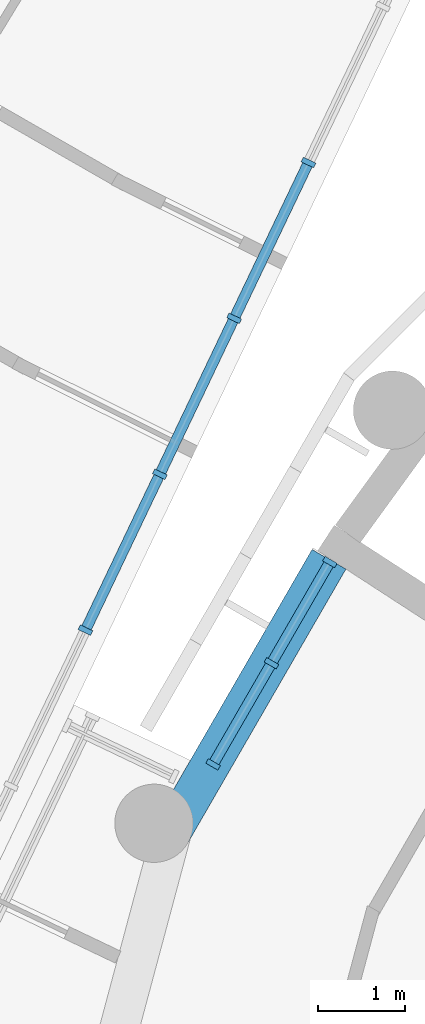
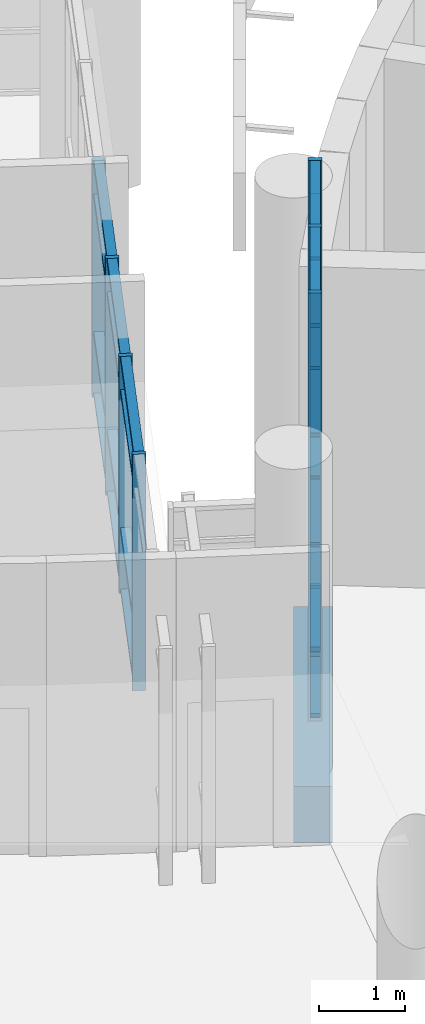
# One storey, part 13 of 136: 31 members, 1 beam, 2 elements without a shape of their own.
"""IFC4 building model written with IfcOpenShell, lengths in metres."""

from ifc_helpers import new_model, si_unit, direction, frame, origin, origin_2d, place, context, subcontext, project, spatial, rectangle, extrude, material, material_profile, profile_set, type_object, element, aggregate, save


model = new_model("IFC4")

# Units and contexts
model_context = context("Model", 3, precision=1e-05, world=origin(), true_north=direction((0.0, 1.0)))
body_context = subcontext(model_context, "Body", "Model", "MODEL_VIEW")
ifc_project = project(units=[si_unit("LENGTHUNIT", "METRE"), si_unit("AREAUNIT", "SQUARE_METRE"), si_unit("VOLUMEUNIT", "CUBIC_METRE"), si_unit("PLANEANGLEUNIT", "RADIAN"), si_unit("MASSUNIT", "GRAM", prefix="KILO")], contexts=[model_context])

# Site, building, storey
site_placement = place(None, origin())
site = spatial("IfcSite", under=ifc_project, at=site_placement, CompositionType="ELEMENT")
building_placement = place(site_placement, origin())
building = spatial("IfcBuilding", under=site, at=building_placement, Name="Bougainvillea Quay General Hospital", CompositionType="ELEMENT")
storey_placement = place(building_placement, frame((0.0, 0.0, 5.39990234375)))
storey = spatial("IfcBuildingStorey", under=building, at=storey_placement, Name="L01", CompositionType="ELEMENT", Elevation=5.39990234375)

# Curtain wall, members
ifc_material_1 = material(Name="Aluminium curtain wall system, powder-coated glazed", Category="aluminium")
curtain_wall_type_1 = type_object("IfcCurtainWallType", Name="Unitised curtain wall CW-1985", PredefinedType="NOTDEFINED", material=ifc_material_1)
curtain_wall_1_placement = place(storey_placement, origin())
curtain_wall_1 = element("IfcCurtainWall", 1, at=curtain_wall_1_placement, inside=storey, type_object=curtain_wall_type_1, Name="CW-AE 00", PredefinedType="NOTDEFINED")
ifc_material_2 = material(Name="Aluminium mullion, powder-coated charcoal", Category="aluminium")
ifc_material_profile_1 = material_profile(ifc_material_2, rectangle(XDim=0.159912109375, YDim=0.06005859375, at=origin_2d()))
ifc_profile_set_1 = profile_set([ifc_material_profile_1], Name="Aluminium mullion, powder-coated charcoal")
member_type_1 = type_object("IfcMemberType", Name="Curtain wall mullion 160x60", PredefinedType="MULLION", material=ifc_profile_set_1)
member_1_placement = place(storey_placement, frame((89.01171875, 84.255615234375, 0.0), z_axis=(0.0, 0.0, 1.0), x_axis=(-0.902560506484, 0.430563040838, 0.0)))
member_1 = element("IfcMember", 2, at=member_1_placement, type_object=member_type_1, Name="CW-AE mullion 3", PredefinedType="MULLION", context=body_context, shape_type="SweptSolid", body=[
    extrude(rectangle(XDim=0.159912109375, YDim=0.06005859375, at=origin_2d()), origin(), (0.0, 0.0, 1.0), 3.35009765625),
])
member_2_placement = place(storey_placement, frame((89.8662109375, 86.047119140625, 0.0), z_axis=(0.0, 0.0, 1.0), x_axis=(-0.902560506484, 0.430563040838, 0.0)))
member_2 = element("IfcMember", 3, at=member_2_placement, type_object=member_type_1, Name="CW-AE mullion 4", PredefinedType="MULLION", context=body_context, shape_type="SweptSolid", body=[
    extrude(rectangle(XDim=0.159912109375, YDim=0.06005859375, at=origin_2d()), origin(), (0.0, 0.0, 1.0), 3.35009765625),
])
member_3_placement = place(storey_placement, frame((90.720947265625, 87.838623046875, 0.0), z_axis=(0.0, 0.0, 1.0), x_axis=(-0.902560506484, 0.430563040838, 0.0)))
member_3 = element("IfcMember", 4, at=member_3_placement, type_object=member_type_1, Name="CW-AE mullion 5", PredefinedType="MULLION", context=body_context, shape_type="SweptSolid", body=[
    extrude(rectangle(XDim=0.159912109375, YDim=0.06005859375, at=origin_2d()), origin(), (0.0, 0.0, 1.0), 3.35009765625),
])
member_4_placement = place(storey_placement, frame((91.575439453125, 89.630126953125, 0.0), z_axis=(0.0, 0.0, 1.0), x_axis=(-0.902560506484, 0.430563040838, 0.0)))
member_4 = element("IfcMember", 5, at=member_4_placement, type_object=member_type_1, Name="CW-AE mullion 6", PredefinedType="MULLION", context=body_context, shape_type="SweptSolid", body=[
    extrude(rectangle(XDim=0.159912109375, YDim=0.06005859375, at=origin_2d()), origin(), (0.0, 0.0, 1.0), 3.35009765625),
])

curtain_wall_type_2 = type_object("IfcCurtainWallType", Name="Unitised curtain wall CW-1372", PredefinedType="NOTDEFINED", material=ifc_material_1)
curtain_wall_2_placement = place(storey_placement, origin())
curtain_wall_2 = element("IfcCurtainWall", 6, at=curtain_wall_2_placement, inside=storey, type_object=curtain_wall_type_2, Name="CW-D 00", PredefinedType="NOTDEFINED")
member_5_placement = place(storey_placement, frame((91.8203125, 85.037353515625, 0.0), z_axis=(0.0, 0.0, 1.0), x_axis=(0.866047615473, -0.499961526253, 0.0)))
member_5 = element("IfcMember", 7, at=member_5_placement, type_object=member_type_1, Name="CW-D mullion 1", PredefinedType="MULLION", context=body_context, shape_type="SweptSolid", body=[
    extrude(rectangle(XDim=0.159912109375, YDim=0.06005859375, at=origin_2d()), origin(), (0.0, 0.0, 1.0), 6.050048828125),
])
member_6_placement = place(storey_placement, frame((91.1494140625, 83.875244140625, 0.0), z_axis=(0.0, 0.0, 1.0), x_axis=(0.866047615473, -0.499961526253, 0.0)))
member_6 = element("IfcMember", 8, at=member_6_placement, type_object=member_type_1, Name="CW-D mullion 2", PredefinedType="MULLION", context=body_context, shape_type="SweptSolid", body=[
    extrude(rectangle(XDim=0.159912109375, YDim=0.06005859375, at=origin_2d()), origin(), (0.0, 0.0, 1.0), 6.050048828125),
])
member_7_placement = place(storey_placement, frame((90.478515625, 82.712890625, 0.0), z_axis=(0.0, 0.0, 1.0), x_axis=(0.866047615473, -0.499961526253, 0.0)))
member_7 = element("IfcMember", 9, at=member_7_placement, type_object=member_type_1, Name="CW-D mullion 3", PredefinedType="MULLION", context=body_context, shape_type="SweptSolid", body=[
    extrude(rectangle(XDim=0.159912109375, YDim=0.06005859375, at=origin_2d()), origin(), (0.0, 0.0, 1.0), 6.050048828125),
])

# Member
ifc_material_3 = material(Name="Aluminium transom, powder-coated charcoal", Category="aluminium")
ifc_material_profile_2 = material_profile(ifc_material_3, rectangle(XDim=0.1201171875, YDim=0.06005859375, at=origin_2d()))
ifc_profile_set_2 = profile_set([ifc_material_profile_2], Name="Aluminium transom, powder-coated charcoal")
member_type_2 = type_object("IfcMemberType", Name="Curtain wall transom 120x60", PredefinedType="USERDEFINED", material=ifc_profile_set_2)
member_8_placement = place(storey_placement, frame((89.0244140625, 84.28271484375, 0.030029296875), z_axis=(0.430598106439, 0.902543777737, 0.0), x_axis=(-0.902543777737, 0.430598106439, 0.0)))
member_8 = element("IfcMember", 10, at=member_8_placement, type_object=member_type_2, Name="CW-AE transom 3.1", ObjectType="TRANSOM", PredefinedType="USERDEFINED", context=body_context, shape_type="SweptSolid", body=[
    extrude(rectangle(XDim=0.1201171875, YDim=0.06005859375, at=origin_2d()), origin(), (0.0, 0.0, 1.0), 1.9248046875),
])

member_9_placement = place(storey_placement, frame((89.0244140625, 84.28271484375, 0.900146484375), z_axis=(0.430598106439, 0.902543777737, 0.0), x_axis=(-0.902543777737, 0.430598106439, 0.0)))
member_9 = element("IfcMember", 11, at=member_9_placement, type_object=member_type_2, Name="CW-AE transom 3.2", ObjectType="TRANSOM", PredefinedType="USERDEFINED", context=body_context, shape_type="SweptSolid", body=[
    extrude(rectangle(XDim=0.1201171875, YDim=0.06005859375, at=origin_2d()), origin(), (0.0, 0.0, 1.0), 1.9248046875),
])

member_10_placement = place(storey_placement, frame((89.0244140625, 84.28271484375, 2.85009765625), z_axis=(0.430598106439, 0.902543777737, 0.0), x_axis=(-0.902543777737, 0.430598106439, 0.0)))
member_10 = element("IfcMember", 12, at=member_10_placement, type_object=member_type_2, Name="CW-AE transom 3.3", ObjectType="TRANSOM", PredefinedType="USERDEFINED", context=body_context, shape_type="SweptSolid", body=[
    extrude(rectangle(XDim=0.1201171875, YDim=0.06005859375, at=origin_2d()), origin(), (0.0, 0.0, 1.0), 1.9248046875),
])

member_11_placement = place(storey_placement, frame((89.0244140625, 84.28271484375, 3.320068359375), z_axis=(0.430598106439, 0.902543777737, 0.0), x_axis=(-0.902543777737, 0.430598106439, 0.0)))
member_11 = element("IfcMember", 13, at=member_11_placement, type_object=member_type_2, Name="CW-AE transom 3.4", ObjectType="TRANSOM", PredefinedType="USERDEFINED", context=body_context, shape_type="SweptSolid", body=[
    extrude(rectangle(XDim=0.1201171875, YDim=0.06005859375, at=origin_2d()), origin(), (0.0, 0.0, 1.0), 1.9248046875),
])

member_12_placement = place(storey_placement, frame((89.879150390625, 86.07421875, 0.030029296875), z_axis=(0.430598106439, 0.902543777737, 0.0), x_axis=(-0.902543777737, 0.430598106439, 0.0)))
member_12 = element("IfcMember", 14, at=member_12_placement, type_object=member_type_2, Name="CW-AE transom 4.1", ObjectType="TRANSOM", PredefinedType="USERDEFINED", context=body_context, shape_type="SweptSolid", body=[
    extrude(rectangle(XDim=0.1201171875, YDim=0.06005859375, at=origin_2d()), origin(), (0.0, 0.0, 1.0), 1.9248046875),
])

member_13_placement = place(storey_placement, frame((89.879150390625, 86.07421875, 0.900146484375), z_axis=(0.430598106439, 0.902543777737, 0.0), x_axis=(-0.902543777737, 0.430598106439, 0.0)))
member_13 = element("IfcMember", 15, at=member_13_placement, type_object=member_type_2, Name="CW-AE transom 4.2", ObjectType="TRANSOM", PredefinedType="USERDEFINED", context=body_context, shape_type="SweptSolid", body=[
    extrude(rectangle(XDim=0.1201171875, YDim=0.06005859375, at=origin_2d()), origin(), (0.0, 0.0, 1.0), 1.9248046875),
])

member_14_placement = place(storey_placement, frame((89.879150390625, 86.07421875, 2.85009765625), z_axis=(0.430598106439, 0.902543777737, 0.0), x_axis=(-0.902543777737, 0.430598106439, 0.0)))
member_14 = element("IfcMember", 16, at=member_14_placement, type_object=member_type_2, Name="CW-AE transom 4.3", ObjectType="TRANSOM", PredefinedType="USERDEFINED", context=body_context, shape_type="SweptSolid", body=[
    extrude(rectangle(XDim=0.1201171875, YDim=0.06005859375, at=origin_2d()), origin(), (0.0, 0.0, 1.0), 1.9248046875),
])

member_15_placement = place(storey_placement, frame((89.879150390625, 86.07421875, 3.320068359375), z_axis=(0.430598106439, 0.902543777737, 0.0), x_axis=(-0.902543777737, 0.430598106439, 0.0)))
member_15 = element("IfcMember", 17, at=member_15_placement, type_object=member_type_2, Name="CW-AE transom 4.4", ObjectType="TRANSOM", PredefinedType="USERDEFINED", context=body_context, shape_type="SweptSolid", body=[
    extrude(rectangle(XDim=0.1201171875, YDim=0.06005859375, at=origin_2d()), origin(), (0.0, 0.0, 1.0), 1.9248046875),
])

member_16_placement = place(storey_placement, frame((90.733642578125, 87.86572265625, 0.030029296875), z_axis=(0.430598106439, 0.902543777737, 0.0), x_axis=(-0.902543777737, 0.430598106439, 0.0)))
member_16 = element("IfcMember", 18, at=member_16_placement, type_object=member_type_2, Name="CW-AE transom 5.1", ObjectType="TRANSOM", PredefinedType="USERDEFINED", context=body_context, shape_type="SweptSolid", body=[
    extrude(rectangle(XDim=0.1201171875, YDim=0.06005859375, at=origin_2d()), origin(), (0.0, 0.0, 1.0), 1.9248046875),
])

member_17_placement = place(storey_placement, frame((90.733642578125, 87.86572265625, 0.900146484375), z_axis=(0.430598106439, 0.902543777737, 0.0), x_axis=(-0.902543777737, 0.430598106439, 0.0)))
member_17 = element("IfcMember", 19, at=member_17_placement, type_object=member_type_2, Name="CW-AE transom 5.2", ObjectType="TRANSOM", PredefinedType="USERDEFINED", context=body_context, shape_type="SweptSolid", body=[
    extrude(rectangle(XDim=0.1201171875, YDim=0.06005859375, at=origin_2d()), origin(), (0.0, 0.0, 1.0), 1.9248046875),
])

member_18_placement = place(storey_placement, frame((90.733642578125, 87.86572265625, 2.85009765625), z_axis=(0.430598106439, 0.902543777737, 0.0), x_axis=(-0.902543777737, 0.430598106439, 0.0)))
member_18 = element("IfcMember", 20, at=member_18_placement, type_object=member_type_2, Name="CW-AE transom 5.3", ObjectType="TRANSOM", PredefinedType="USERDEFINED", context=body_context, shape_type="SweptSolid", body=[
    extrude(rectangle(XDim=0.1201171875, YDim=0.06005859375, at=origin_2d()), origin(), (0.0, 0.0, 1.0), 1.9248046875),
])

member_19_placement = place(storey_placement, frame((90.733642578125, 87.86572265625, 3.320068359375), z_axis=(0.430598106439, 0.902543777737, 0.0), x_axis=(-0.902543777737, 0.430598106439, 0.0)))
member_19 = element("IfcMember", 21, at=member_19_placement, type_object=member_type_2, Name="CW-AE transom 5.4", ObjectType="TRANSOM", PredefinedType="USERDEFINED", context=body_context, shape_type="SweptSolid", body=[
    extrude(rectangle(XDim=0.1201171875, YDim=0.06005859375, at=origin_2d()), origin(), (0.0, 0.0, 1.0), 1.9248046875),
])

aggregate(curtain_wall_1, [member_1, member_2, member_3, member_4, member_8, member_9, member_10, member_11, member_12, member_13, member_14, member_15, member_16, member_17, member_18, member_19])

member_20_placement = place(storey_placement, frame((91.805419921875, 85.01123046875, 0.030029296875), z_axis=(-0.500112596238, -0.865960386556, 0.0), x_axis=(0.865960386556, -0.500112596238, 0.0)))
member_20 = element("IfcMember", 22, at=member_20_placement, type_object=member_type_2, Name="CW-D transom 1.1", ObjectType="TRANSOM", PredefinedType="USERDEFINED", context=body_context, shape_type="SweptSolid", body=[
    extrude(rectangle(XDim=0.1201171875, YDim=0.06005859375, at=origin_2d()), origin(), (0.0, 0.0, 1.0), 1.281982421875),
])

member_21_placement = place(storey_placement, frame((91.805419921875, 85.01123046875, 0.900146484375), z_axis=(-0.500112596238, -0.865960386556, 0.0), x_axis=(0.865960386556, -0.500112596238, 0.0)))
member_21 = element("IfcMember", 23, at=member_21_placement, type_object=member_type_2, Name="CW-D transom 1.2", ObjectType="TRANSOM", PredefinedType="USERDEFINED", context=body_context, shape_type="SweptSolid", body=[
    extrude(rectangle(XDim=0.1201171875, YDim=0.06005859375, at=origin_2d()), origin(), (0.0, 0.0, 1.0), 1.281982421875),
])

member_22_placement = place(storey_placement, frame((91.805419921875, 85.01123046875, 2.4501953125), z_axis=(-0.500112596238, -0.865960386556, 0.0), x_axis=(0.865960386556, -0.500112596238, 0.0)))
member_22 = element("IfcMember", 24, at=member_22_placement, type_object=member_type_2, Name="CW-D transom 1.3", ObjectType="TRANSOM", PredefinedType="USERDEFINED", context=body_context, shape_type="SweptSolid", body=[
    extrude(rectangle(XDim=0.1201171875, YDim=0.06005859375, at=origin_2d()), origin(), (0.0, 0.0, 1.0), 1.281982421875),
])

member_23_placement = place(storey_placement, frame((91.805419921875, 85.01123046875, 4.0), z_axis=(-0.500112596238, -0.865960386556, 0.0), x_axis=(0.865960386556, -0.500112596238, 0.0)))
member_23 = element("IfcMember", 25, at=member_23_placement, type_object=member_type_2, Name="CW-D transom 1.4", ObjectType="TRANSOM", PredefinedType="USERDEFINED", context=body_context, shape_type="SweptSolid", body=[
    extrude(rectangle(XDim=0.1201171875, YDim=0.06005859375, at=origin_2d()), origin(), (0.0, 0.0, 1.0), 1.281982421875),
])

member_24_placement = place(storey_placement, frame((91.805419921875, 85.01123046875, 5.550048828125), z_axis=(-0.500112596238, -0.865960386556, 0.0), x_axis=(0.865960386556, -0.500112596238, 0.0)))
member_24 = element("IfcMember", 26, at=member_24_placement, type_object=member_type_2, Name="CW-D transom 1.5", ObjectType="TRANSOM", PredefinedType="USERDEFINED", context=body_context, shape_type="SweptSolid", body=[
    extrude(rectangle(XDim=0.1201171875, YDim=0.06005859375, at=origin_2d()), origin(), (0.0, 0.0, 1.0), 1.281982421875),
])

member_25_placement = place(storey_placement, frame((91.805419921875, 85.01123046875, 6.02001953125), z_axis=(-0.500112596238, -0.865960386556, 0.0), x_axis=(0.865960386556, -0.500112596238, 0.0)))
member_25 = element("IfcMember", 27, at=member_25_placement, type_object=member_type_2, Name="CW-D transom 1.6", ObjectType="TRANSOM", PredefinedType="USERDEFINED", context=body_context, shape_type="SweptSolid", body=[
    extrude(rectangle(XDim=0.1201171875, YDim=0.06005859375, at=origin_2d()), origin(), (0.0, 0.0, 1.0), 1.281982421875),
])

member_26_placement = place(storey_placement, frame((91.134521484375, 83.84912109375, 0.030029296875), z_axis=(-0.500112596238, -0.865960386556, 0.0), x_axis=(0.865960386556, -0.500112596238, 0.0)))
member_26 = element("IfcMember", 28, at=member_26_placement, type_object=member_type_2, Name="CW-D transom 2.1", ObjectType="TRANSOM", PredefinedType="USERDEFINED", context=body_context, shape_type="SweptSolid", body=[
    extrude(rectangle(XDim=0.1201171875, YDim=0.06005859375, at=origin_2d()), origin(), (0.0, 0.0, 1.0), 1.281982421875),
])

member_27_placement = place(storey_placement, frame((91.134521484375, 83.84912109375, 0.900146484375), z_axis=(-0.500112596238, -0.865960386556, 0.0), x_axis=(0.865960386556, -0.500112596238, 0.0)))
member_27 = element("IfcMember", 29, at=member_27_placement, type_object=member_type_2, Name="CW-D transom 2.2", ObjectType="TRANSOM", PredefinedType="USERDEFINED", context=body_context, shape_type="SweptSolid", body=[
    extrude(rectangle(XDim=0.1201171875, YDim=0.06005859375, at=origin_2d()), origin(), (0.0, 0.0, 1.0), 1.281982421875),
])

member_28_placement = place(storey_placement, frame((91.134521484375, 83.84912109375, 2.4501953125), z_axis=(-0.500112596238, -0.865960386556, 0.0), x_axis=(0.865960386556, -0.500112596238, 0.0)))
member_28 = element("IfcMember", 30, at=member_28_placement, type_object=member_type_2, Name="CW-D transom 2.3", ObjectType="TRANSOM", PredefinedType="USERDEFINED", context=body_context, shape_type="SweptSolid", body=[
    extrude(rectangle(XDim=0.1201171875, YDim=0.06005859375, at=origin_2d()), origin(), (0.0, 0.0, 1.0), 1.281982421875),
])

member_29_placement = place(storey_placement, frame((91.134521484375, 83.84912109375, 4.0), z_axis=(-0.500112596238, -0.865960386556, 0.0), x_axis=(0.865960386556, -0.500112596238, 0.0)))
member_29 = element("IfcMember", 31, at=member_29_placement, type_object=member_type_2, Name="CW-D transom 2.4", ObjectType="TRANSOM", PredefinedType="USERDEFINED", context=body_context, shape_type="SweptSolid", body=[
    extrude(rectangle(XDim=0.1201171875, YDim=0.06005859375, at=origin_2d()), origin(), (0.0, 0.0, 1.0), 1.281982421875),
])

member_30_placement = place(storey_placement, frame((91.134521484375, 83.84912109375, 5.550048828125), z_axis=(-0.500112596238, -0.865960386556, 0.0), x_axis=(0.865960386556, -0.500112596238, 0.0)))
member_30 = element("IfcMember", 32, at=member_30_placement, type_object=member_type_2, Name="CW-D transom 2.5", ObjectType="TRANSOM", PredefinedType="USERDEFINED", context=body_context, shape_type="SweptSolid", body=[
    extrude(rectangle(XDim=0.1201171875, YDim=0.06005859375, at=origin_2d()), origin(), (0.0, 0.0, 1.0), 1.281982421875),
])

member_31_placement = place(storey_placement, frame((91.134521484375, 83.84912109375, 6.02001953125), z_axis=(-0.500112596238, -0.865960386556, 0.0), x_axis=(0.865960386556, -0.500112596238, 0.0)))
member_31 = element("IfcMember", 33, at=member_31_placement, type_object=member_type_2, Name="CW-D transom 2.6", ObjectType="TRANSOM", PredefinedType="USERDEFINED", context=body_context, shape_type="SweptSolid", body=[
    extrude(rectangle(XDim=0.1201171875, YDim=0.06005859375, at=origin_2d()), origin(), (0.0, 0.0, 1.0), 1.281982421875),
])

aggregate(curtain_wall_2, [member_5, member_6, member_7, member_20, member_21, member_22, member_23, member_24, member_25, member_26, member_27, member_28, member_29, member_30, member_31])

# Beam
ifc_material_4 = material(Name="Concrete C40", Category="concrete")
ifc_material_profile_3 = material_profile(ifc_material_4, rectangle(XDim=0.449951171875, YDim=0.800048828125, at=origin_2d()))
ifc_profile_set_3 = profile_set([ifc_material_profile_3], Name="Concrete C40")
beam_type = type_object("IfcBeamType", Name="RC BEAM 450x800 C40", PredefinedType="BEAM", material=ifc_profile_set_3)
beam_placement = place(storey_placement, frame((91.810546875, 85.0703125, -0.699951171875), z_axis=(-0.499976434558, -0.866039008871, 0.0), x_axis=(0.866039008871, -0.499976434558, 0.0)))
element("IfcBeam", 34, at=beam_placement, inside=storey, type_object=beam_type, Name="Edge beam L01", PredefinedType="BEAM", context=body_context, shape_type="SweptSolid", body=[
    extrude(rectangle(XDim=0.449951171875, YDim=0.800048828125, at=origin_2d()), origin(), (0.0, 0.0, 1.0), 3.633544921875),
])

save(model, "model.ifc")
